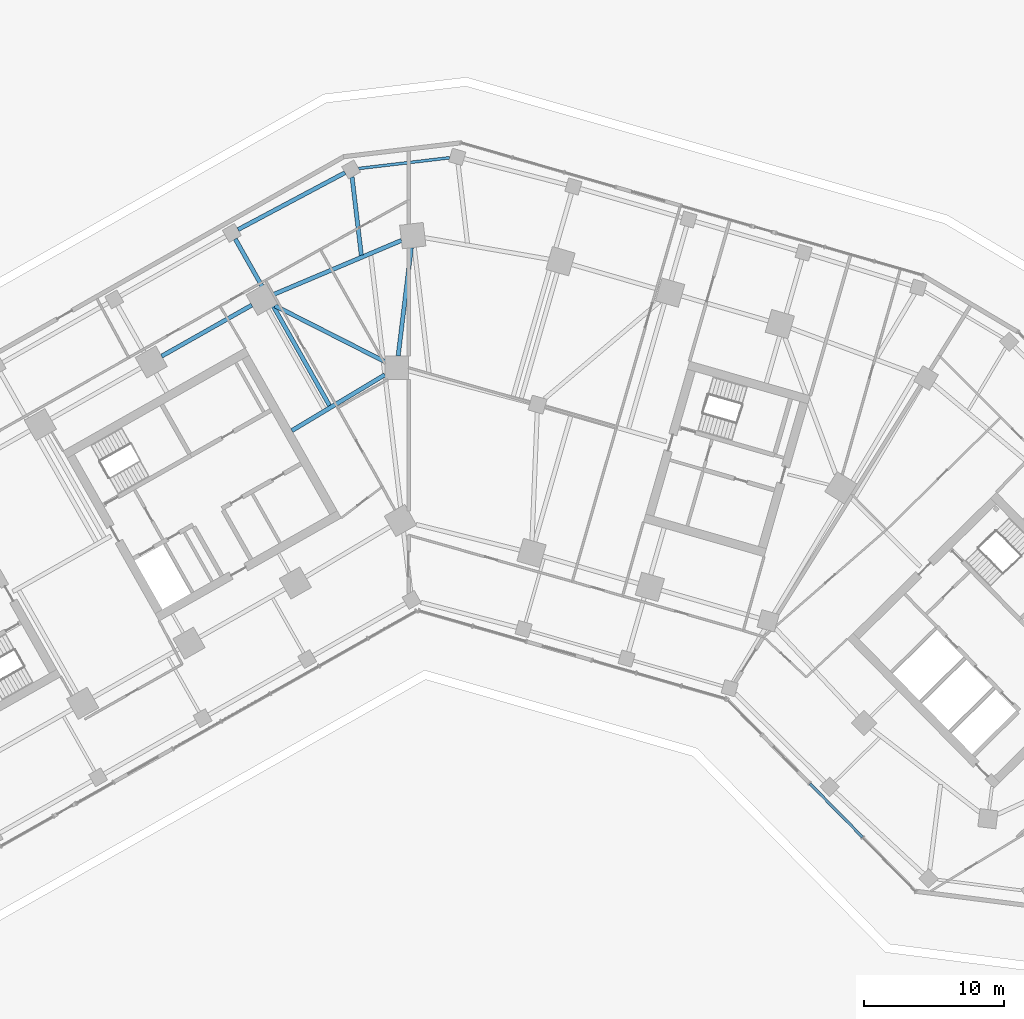
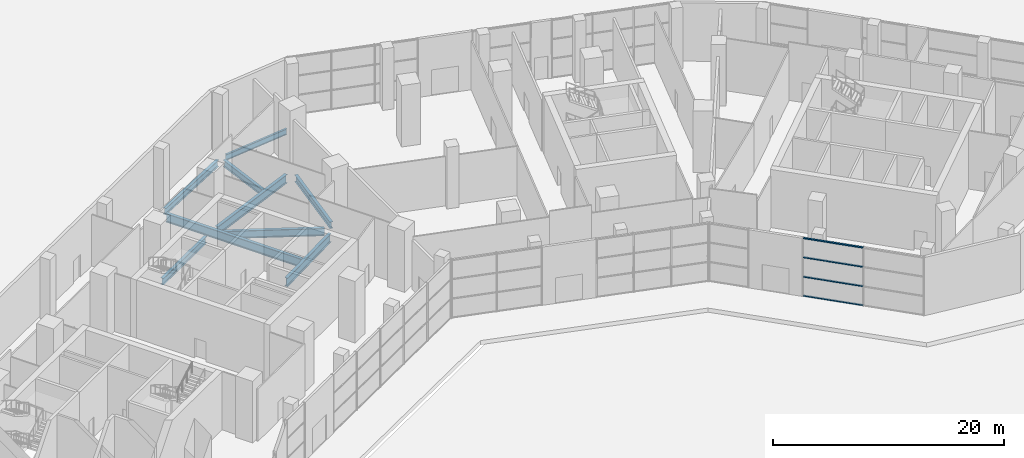
# One storey, part 5 of 22: 9 beams, 4 members, 1 element without a shape of its own.
"""IFC4 building model written with IfcOpenShell, lengths in metres."""

from ifc_helpers import new_model, si_unit, direction, frame, origin, origin_2d, place, context, subcontext, project, spatial, rectangle, i_section, extrude, material, material_profile, profile_set, type_object, element, aggregate, save


model = new_model("IFC4")

# Units and contexts
model_context = context("Model", 3, precision=1e-05, world=origin(), true_north=direction((0.0, 1.0)))
body_context = subcontext(model_context, "Body", "Model", "MODEL_VIEW")
ifc_project = project(units=[si_unit("LENGTHUNIT", "METRE"), si_unit("AREAUNIT", "SQUARE_METRE"), si_unit("VOLUMEUNIT", "CUBIC_METRE"), si_unit("PLANEANGLEUNIT", "RADIAN"), si_unit("MASSUNIT", "GRAM", prefix="KILO")], contexts=[model_context])

# Site, building, storey
site_placement = place(None, origin())
site = spatial("IfcSite", under=ifc_project, at=site_placement, CompositionType="ELEMENT")
building_placement = place(site_placement, origin())
building = spatial("IfcBuilding", under=site, at=building_placement, Name="Binnacle Exchange Tower", CompositionType="ELEMENT")
storey_placement = place(building_placement, origin())
storey = spatial("IfcBuildingStorey", under=building, at=storey_placement, Name="L00", CompositionType="ELEMENT", Elevation=0.0)

# Curtain wall, members
ifc_material_1 = material(Name="Bronze anodised aluminium frame", Category="aluminium")
curtain_wall_type = type_object("IfcCurtainWallType", Name="External wall - curtain wall waterfront lobby", PredefinedType="NOTDEFINED", material=ifc_material_1)
curtain_wall_placement = place(storey_placement, origin())
curtain_wall = element("IfcCurtainWall", 1, at=curtain_wall_placement, inside=storey, type_object=curtain_wall_type, Name="External wall curtain wall CW1-P08-2 L00", PredefinedType="NOTDEFINED")
ifc_material_profile_1 = material_profile(ifc_material_1, rectangle(XDim=0.199951171875, YDim=0.06005859375, at=origin_2d()), Name="AL 200x60")
ifc_profile_set_1 = profile_set([ifc_material_profile_1], Name="Bronze anodised aluminium frame")
member_type = type_object("IfcMemberType", Name="CW1 TRANSOM 60x200", PredefinedType="USERDEFINED", material=ifc_profile_set_1)
member_1_placement = place(storey_placement, frame((28.764404296875, 30.185791015625, 0.030029296875), z_axis=(0.70091476631, -0.713245042302, 0.0), x_axis=(0.713245042302, 0.70091476631, 0.0)))
member_1 = element("IfcMember", 2, at=member_1_placement, type_object=member_type, Name="CW1-P08-2 transom 1.1", ObjectType="TRANSOM", PredefinedType="USERDEFINED", context=body_context, shape_type="SweptSolid", body=[
    extrude(rectangle(XDim=0.199951171875, YDim=0.06005859375, at=origin_2d()), origin(), (0.0, 0.0, 1.0), 5.36572265625),
])
member_2_placement = place(storey_placement, frame((28.764404296875, 30.185791015625, 2.050048828125), z_axis=(0.70091476631, -0.713245042302, 0.0), x_axis=(0.713245042302, 0.70091476631, 0.0)))
member_2 = element("IfcMember", 3, at=member_2_placement, type_object=member_type, Name="CW1-P08-2 transom 1.2", ObjectType="TRANSOM", PredefinedType="USERDEFINED", context=body_context, shape_type="SweptSolid", body=[
    extrude(rectangle(XDim=0.199951171875, YDim=0.06005859375, at=origin_2d()), origin(), (0.0, 0.0, 1.0), 5.36572265625),
])
member_3_placement = place(storey_placement, frame((28.764404296875, 30.185791015625, 4.10009765625), z_axis=(0.70091476631, -0.713245042302, 0.0), x_axis=(0.713245042302, 0.70091476631, 0.0)))
member_3 = element("IfcMember", 4, at=member_3_placement, type_object=member_type, Name="CW1-P08-2 transom 1.3", ObjectType="TRANSOM", PredefinedType="USERDEFINED", context=body_context, shape_type="SweptSolid", body=[
    extrude(rectangle(XDim=0.199951171875, YDim=0.06005859375, at=origin_2d()), origin(), (0.0, 0.0, 1.0), 5.36572265625),
])
member_4_placement = place(storey_placement, frame((28.764404296875, 30.185791015625, 6.1201171875), z_axis=(0.70091476631, -0.713245042302, 0.0), x_axis=(0.713245042302, 0.70091476631, 0.0)))
member_4 = element("IfcMember", 5, at=member_4_placement, type_object=member_type, Name="CW1-P08-2 transom 1.4", ObjectType="TRANSOM", PredefinedType="USERDEFINED", context=body_context, shape_type="SweptSolid", body=[
    extrude(rectangle(XDim=0.199951171875, YDim=0.06005859375, at=origin_2d()), origin(), (0.0, 0.0, 1.0), 5.36572265625),
])
aggregate(curtain_wall, [member_1, member_2, member_3, member_4])

# Beams
ifc_material_2 = material(Name="Steel S355 (SHN355)", Category="steel")
ifc_material_profile_2 = material_profile(ifc_material_2, i_section(OverallWidth=0.201904296875, OverallDepth=0.612060546875, WebThickness=0.012939453125, FlangeThickness=0.02294921875, FilletRadius=0.02197265625, at=origin_2d()), Name="H 612x202x13x23")
ifc_profile_set_2 = profile_set([ifc_material_profile_2], Name="Steel S355 (SHN355)")
beam_type_1 = type_object("IfcBeamType", Name="Edge girder H 612x202x13x23 Steel S355 (SHN355)", PredefinedType="SPANDREL", material=ifc_profile_set_2)
beam_1_placement = place(storey_placement, frame((-3.577392578125, 74.2734375, -0.756103515625), z_axis=(0.993065632937, 0.117561255009, 0.0), x_axis=(-0.117561255009, 0.993065632937, 0.0)))
element("IfcBeam", 6, at=beam_1_placement, inside=storey, type_object=beam_type_1, Name="S:BM:edge:L00:042", PredefinedType="SPANDREL", context=body_context, shape_type="SweptSolid", body=[
    extrude(i_section(OverallWidth=0.201904296875, OverallDepth=0.612060546875, WebThickness=0.012939453125, FlangeThickness=0.02294921875, FilletRadius=0.02197265625, at=origin_2d()), origin(), (0.0, 0.0, 1.0), 6.57080078125),
])
ifc_material_profile_3 = material_profile(ifc_material_2, i_section(OverallWidth=0.300048828125, OverallDepth=0.699951171875, WebThickness=0.012939453125, FlangeThickness=0.02392578125, FilletRadius=0.028076171875, at=origin_2d()), Name="H 700x300x13x24")
ifc_profile_set_3 = profile_set([ifc_material_profile_3], Name="Steel S355 (SHN355)")
beam_type_2 = type_object("IfcBeamType", Name="Edge girder H 700x300x13x24 Steel S355 (SHN355)", PredefinedType="SPANDREL", material=ifc_profile_set_3)
beam_2_placement = place(storey_placement, frame((-12.225830078125, 69.893798828125, -0.800048828125), z_axis=(0.882784358994, 0.469778432365, 0.0), x_axis=(-0.469778432365, 0.882784358994, 0.0)))
element("IfcBeam", 7, at=beam_2_placement, inside=storey, type_object=beam_type_2, Name="S:BM:edge:L00:038", PredefinedType="SPANDREL", context=body_context, shape_type="SweptSolid", body=[
    extrude(i_section(OverallWidth=0.300048828125, OverallDepth=0.699951171875, WebThickness=0.012939453125, FlangeThickness=0.02392578125, FilletRadius=0.028076171875, at=origin_2d()), origin(), (0.0, 0.0, 1.0), 8.686767578125),
])
beam_3_placement = place(storey_placement, frame((-11.23486328125, 64.483154296875, -0.800048828125), z_axis=(-0.870364477798, -0.492408037898, 0.0), x_axis=(0.492408037898, -0.870364477798, 0.0)))
element("IfcBeam", 8, at=beam_3_placement, inside=storey, type_object=beam_type_2, Name="S:BM:edge:L00:039", PredefinedType="SPANDREL", context=body_context, shape_type="SweptSolid", body=[
    extrude(i_section(OverallWidth=0.300048828125, OverallDepth=0.699951171875, WebThickness=0.012939453125, FlangeThickness=0.02392578125, FilletRadius=0.028076171875, at=origin_2d()), origin(), (0.0, 0.0, 1.0), 7.4296875),
])
ifc_material_profile_4 = material_profile(ifc_material_2, i_section(OverallWidth=0.302978515625, OverallDepth=0.91796875, WebThickness=0.01904296875, FlangeThickness=0.037109375, FilletRadius=0.028076171875, at=origin_2d()), Name="H 918x303x19x37")
ifc_profile_set_4 = profile_set([ifc_material_profile_4], Name="Steel S355 (SHN355)")
beam_type_3 = type_object("IfcBeamType", Name="Edge girder H 918x303x19x37 Steel S355 (SHN355)", PredefinedType="SPANDREL", material=ifc_profile_set_4)
beam_4_placement = place(storey_placement, frame((-0.51513671875, 69.11962890625, -0.908935546875), z_axis=(-0.921111373297, -0.389299162578, 0.0), x_axis=(0.389299162578, -0.921111373297, 0.0)))
element("IfcBeam", 9, at=beam_4_placement, inside=storey, type_object=beam_type_3, Name="S:BM:edge:L00:043", PredefinedType="SPANDREL", context=body_context, shape_type="SweptSolid", body=[
    extrude(i_section(OverallWidth=0.302978515625, OverallDepth=0.91796875, WebThickness=0.01904296875, FlangeThickness=0.037109375, FilletRadius=0.028076171875, at=origin_2d()), origin(), (0.0, 0.0, 1.0), 9.978759765625),
])
ifc_material_profile_5 = material_profile(ifc_material_2, i_section(OverallWidth=0.300048828125, OverallDepth=0.699951171875, WebThickness=0.012939453125, FlangeThickness=0.02392578125, FilletRadius=0.028076171875, at=origin_2d()), Name="H 700x300x13x24")
ifc_profile_set_5 = profile_set([ifc_material_profile_5], Name="Steel S355 (SHN355)")
beam_type_4 = type_object("IfcBeamType", Name="Floor beam H 700x300x13x24 Steel S355 (SHN355)", PredefinedType="BEAM", material=ifc_profile_set_5)
beam_5_placement = place(storey_placement, frame((-4.05224609375, 73.67138671875, -0.800048828125), z_axis=(0.117558403609, -0.993065970488, 0.0), x_axis=(0.993065970488, 0.117558403609, 0.0)))
element("IfcBeam", 10, at=beam_5_placement, inside=storey, type_object=beam_type_4, Name="S:BM:cross:L00:101", PredefinedType="BEAM", context=body_context, shape_type="SweptSolid", body=[
    extrude(i_section(OverallWidth=0.300048828125, OverallDepth=0.699951171875, WebThickness=0.012939453125, FlangeThickness=0.02392578125, FilletRadius=0.028076171875, at=origin_2d()), origin(), (0.0, 0.0, 1.0), 5.648681640625),
])
ifc_material_profile_6 = material_profile(ifc_material_2, i_section(OverallWidth=0.302978515625, OverallDepth=0.91796875, WebThickness=0.01904296875, FlangeThickness=0.037109375, FilletRadius=0.028076171875, at=origin_2d()), Name="H 918x303x19x37")
ifc_profile_set_6 = profile_set([ifc_material_profile_6], Name="Steel S355 (SHN355)")
beam_type_5 = type_object("IfcBeamType", Name="Floor beam H 918x303x19x37 Steel S355 (SHN355)", PredefinedType="BEAM", material=ifc_profile_set_6)
beam_6_placement = place(storey_placement, frame((-12.421142578125, 69.223388671875, -0.908935546875), z_axis=(0.492429600636, -0.870352278344, 0.0), x_axis=(0.870352278344, 0.492429600636, 0.0)))
element("IfcBeam", 11, at=beam_6_placement, inside=storey, type_object=beam_type_5, Name="S:BM:cross:L00:097", PredefinedType="BEAM", context=body_context, shape_type="SweptSolid", body=[
    extrude(i_section(OverallWidth=0.302978515625, OverallDepth=0.91796875, WebThickness=0.01904296875, FlangeThickness=0.037109375, FilletRadius=0.028076171875, at=origin_2d()), origin(), (0.0, 0.0, 1.0), 13.718017578125),
])
ifc_material_profile_7 = material_profile(ifc_material_2, i_section(OverallWidth=0.300048828125, OverallDepth=0.699951171875, WebThickness=0.012939453125, FlangeThickness=0.02392578125, FilletRadius=0.028076171875, at=origin_2d()), Name="H 700x300x13x24")
ifc_profile_set_7 = profile_set([ifc_material_profile_7], Name="Steel S355 (SHN355)")
beam_type_6 = type_object("IfcBeamType", Name="Spine girder H 700x300x13x24 Steel S355 (SHN355)", PredefinedType="BEAM", material=ifc_profile_set_7)
beam_7_placement = place(storey_placement, frame((-0.74658203125, 60.85009765625, -0.800048828125), z_axis=(0.120621974738, 0.992698513755, 0.0), x_axis=(-0.992698513755, 0.120621974738, 0.0)))
element("IfcBeam", 12, at=beam_7_placement, inside=storey, type_object=beam_type_6, Name="S:BM:spine:L00:005", PredefinedType="BEAM", context=body_context, shape_type="SweptSolid", body=[
    extrude(i_section(OverallWidth=0.300048828125, OverallDepth=0.699951171875, WebThickness=0.012939453125, FlangeThickness=0.02392578125, FilletRadius=0.028076171875, at=origin_2d()), origin(), (0.0, 0.0, 1.0), 7.802490234375),
])
ifc_material_profile_8 = material_profile(ifc_material_2, i_section(OverallWidth=0.300048828125, OverallDepth=0.800048828125, WebThickness=0.013916015625, FlangeThickness=0.02587890625, FilletRadius=0.028076171875, at=origin_2d()), Name="H 800x300x14x26")
ifc_profile_set_8 = profile_set([ifc_material_profile_8], Name="Steel S355 (SHN355)")
beam_type_7 = type_object("IfcBeamType", Name="Spine girder H 800x300x14x26 Steel S355 (SHN355)", PredefinedType="BEAM", material=ifc_profile_set_8)
beam_8_placement = place(storey_placement, frame((-1.699951171875, 60.431884765625, -0.85009765625), z_axis=(-0.891471296315, 0.45307717648, 0.0), x_axis=(-0.45307717648, -0.891471296315, 0.0)))
element("IfcBeam", 13, at=beam_8_placement, inside=storey, type_object=beam_type_7, Name="S:BM:spine:L00:004", PredefinedType="BEAM", context=body_context, shape_type="SweptSolid", body=[
    extrude(i_section(OverallWidth=0.300048828125, OverallDepth=0.800048828125, WebThickness=0.013916015625, FlangeThickness=0.02587890625, FilletRadius=0.028076171875, at=origin_2d()), origin(), (0.0, 0.0, 1.0), 8.845703125),
])
ifc_material_profile_9 = material_profile(ifc_material_2, i_section(OverallWidth=0.302978515625, OverallDepth=0.91796875, WebThickness=0.01904296875, FlangeThickness=0.037109375, FilletRadius=0.028076171875, at=origin_2d()), Name="H 918x303x19x37")
ifc_profile_set_9 = profile_set([ifc_material_profile_9], Name="Steel S355 (SHN355)")
beam_type_8 = type_object("IfcBeamType", Name="Spine girder H 918x303x19x37 Steel S355 (SHN355)", PredefinedType="BEAM", material=ifc_profile_set_9)
beam_9_placement = place(storey_placement, frame((-8.36328125, 55.489990234375, -0.908935546875), z_axis=(0.857393122678, 0.514662057261, 0.0), x_axis=(-0.514662057261, 0.857393122678, 0.0)))
element("IfcBeam", 14, at=beam_9_placement, inside=storey, type_object=beam_type_8, Name="S:BM:spine:L00:003", PredefinedType="BEAM", context=body_context, shape_type="SweptSolid", body=[
    extrude(i_section(OverallWidth=0.302978515625, OverallDepth=0.91796875, WebThickness=0.01904296875, FlangeThickness=0.037109375, FilletRadius=0.028076171875, at=origin_2d()), origin(), (0.0, 0.0, 1.0), 7.771728515625),
])

save(model, "model.ifc")
